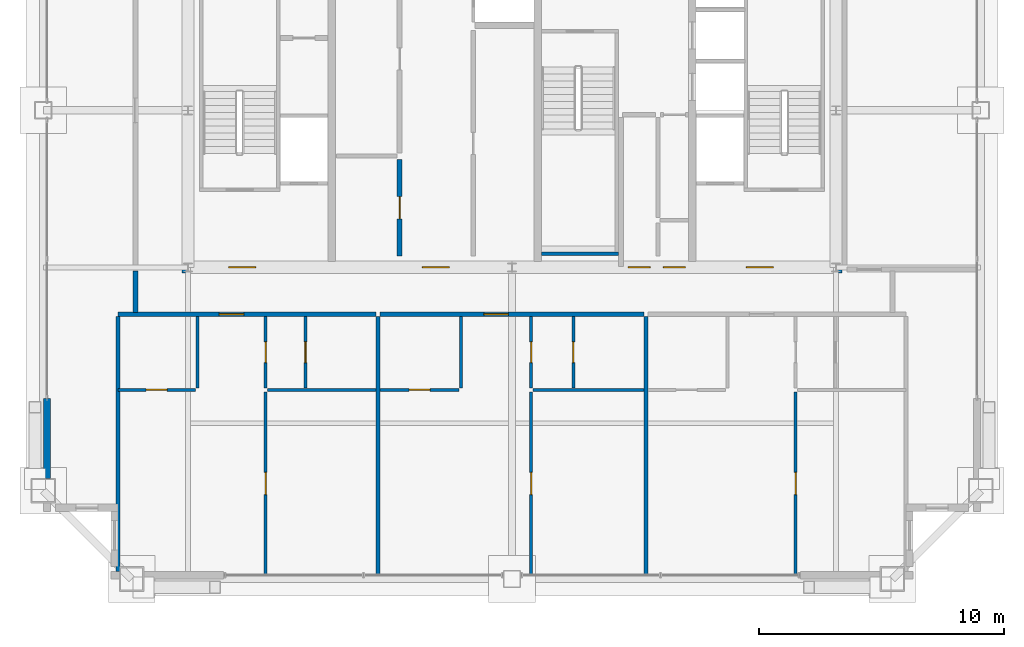
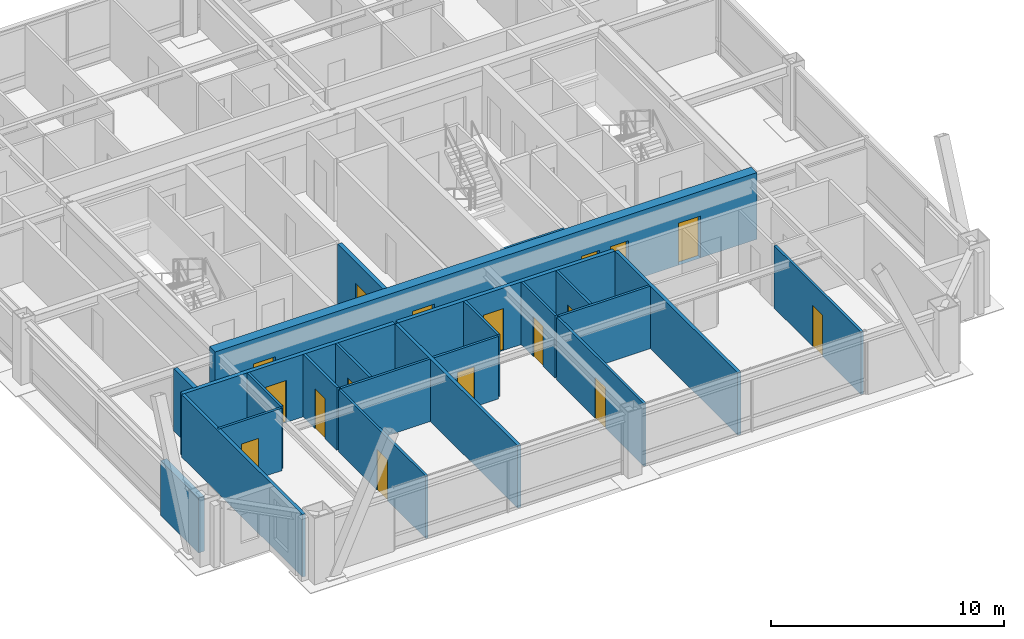
# One storey, part 30 of 35: 23 walls, 17 doors, 17 openings.
"""IFC4 building model written with IfcOpenShell, lengths in metres."""

from ifc_helpers import new_model, si_unit, direction, frame, frame_2d, origin, place, context, subcontext, project, spatial, rectangle, extrude, source, transform, mapped, material, layer, layer_set, type_object, element, fill, save


model = new_model("IFC4")

# Units and contexts
model_context = context("Model", 3, precision=1e-05, world=origin(), true_north=direction((0.0, 1.0)))
body_context = subcontext(model_context, "Body", "Model", "MODEL_VIEW")
ifc_project = project(units=[si_unit("LENGTHUNIT", "METRE"), si_unit("AREAUNIT", "SQUARE_METRE"), si_unit("VOLUMEUNIT", "CUBIC_METRE"), si_unit("PLANEANGLEUNIT", "RADIAN"), si_unit("MASSUNIT", "GRAM", prefix="KILO"), si_unit("THERMODYNAMICTEMPERATUREUNIT", "KELVIN"), si_unit("POWERUNIT", "WATT")], contexts=[model_context])

# Site, building, storey
site_placement = place(None, origin())
site = spatial("IfcSite", under=ifc_project, at=site_placement, CompositionType="ELEMENT")
building_placement = place(site_placement, origin())
building = spatial("IfcBuilding", under=site, at=building_placement, Name="Yuzanri Waterfront Tower", CompositionType="ELEMENT")
storey_placement = place(building_placement, frame((0.0, 0.0, 285.60009765625)))
storey = spatial("IfcBuildingStorey", under=building, at=storey_placement, Name="L76", CompositionType="ELEMENT", Elevation=285.60009765625)

# Wall, opening, door
ifc_material_1 = material(Name="Moisture-Resistant Gypsum Stud Wall", Category="gypsum")
ifc_layer_1 = layer(ifc_material_1, 0.1201171875)
ifc_layer_set_1 = layer_set([ifc_layer_1], Name="Moisture-Resistant Gypsum Stud Wall")
wall_type_1 = type_object("IfcWallType", Name="Bathroom and Kitchen Wet Partition 120", PredefinedType="PARTITIONING", material=ifc_layer_set_1)
wall_1_placement = place(storey_placement, frame((20.93994140625, 14.409912109375, 0.0), z_axis=(0.0, 0.0, 1.0), x_axis=(1.0, 0.0, 0.0)))
wall_1 = element("IfcWall", 1, at=wall_1_placement, inside=storey, type_object=wall_type_1, Name="L76 Partition UW-L76-HS1-SUB-1-S", PredefinedType="PARTITIONING", context=body_context, shape_type="SweptSolid", body=[
    extrude(rectangle(XDim=3.156005859375, YDim=0.1201171875, at=frame_2d((1.578125, 0.0))), origin(), (0.0, 0.0, 1.0), 3.27978515625),
])
opening_1_placement = place(wall_1_placement, frame((1.153076171875, 0.0, 0.0)))
opening_1 = element("IfcOpeningElement", 2, at=opening_1_placement, cuts=wall_1, Name="Opening ID-0850", PredefinedType="OPENING", context=body_context, shape_type="SweptSolid", body=[
    extrude(rectangle(XDim=0.85009765625, YDim=2.10009765625, at=frame_2d((0.425048828125, 1.050048828125))), frame((0.0, 0.074951171875, 0.0), z_axis=(0.0, -1.0, 0.0), x_axis=(1.0, 0.0, 0.0)), (0.0, 0.0, 1.0), 0.14990234375),
])
ifc_material_2 = material(Name="Moisture-Resistant Lacquered Timber", Category="wood")
door_type_1 = type_object("IfcDoorType", Name="En-Suite Bathroom and Kitchen Swing Door 850x2100", OperationType="NOTDEFINED", PredefinedType="DOOR", material=ifc_material_2)
shared_shape_1 = source(origin(), body_context, "Body", "SweptSolid", [
    extrude(rectangle(XDim=0.85009765625, YDim=2.10009765625, at=frame_2d((0.425048828125, 1.050048828125))), frame((0.0, 0.02490234375, 0.0), z_axis=(0.0, -1.0, 0.0), x_axis=(1.0, 0.0, 0.0)), (0.0, 0.0, 1.0), 0.050048828125),
])
door_1_placement = place(opening_1_placement, origin())
door_1 = element("IfcDoor", 3, at=door_1_placement, inside=storey, type_object=door_type_1, Name="L76 Suite Interior Room Door", OperationType="SINGLE_SWING_LEFT", OverallHeight=2.10009765625, OverallWidth=0.85009765625, PredefinedType="DOOR", context=body_context, shape_type="MappedRepresentation", body=[
    mapped(shared_shape_1, transform((0.0, 0.0, 0.0), scale=1.0)),
])
fill(opening_1, door_1)

wall_2_placement = place(storey_placement, frame((28.580078125, 14.489990234375, 0.0), z_axis=(0.0, 0.0, 1.0), x_axis=(0.0, 1.0, 0.0)))
wall_2 = element("IfcWall", 4, at=wall_2_placement, inside=storey, type_object=wall_type_1, Name="L76 Partition UW-L76-HS1-SUB-2-W", PredefinedType="PARTITIONING", context=body_context, shape_type="SweptSolid", body=[
    extrude(rectangle(XDim=2.89990234375, YDim=0.1201171875, at=frame_2d((1.449951171875, 0.0))), origin(), (0.0, 0.0, 1.0), 3.27978515625),
])
opening_2_placement = place(wall_2_placement, frame((1.02490234375, 0.0, 0.0)))
opening_2 = element("IfcOpeningElement", 5, at=opening_2_placement, cuts=wall_2, Name="Opening ID-0850", PredefinedType="OPENING", context=body_context, shape_type="SweptSolid", body=[
    extrude(rectangle(XDim=0.85009765625, YDim=2.10009765625, at=frame_2d((0.425048828125, 1.050048828125))), frame((0.0, 0.074951171875, 0.0), z_axis=(0.0, -1.0, 0.0), x_axis=(1.0, 0.0, 0.0)), (0.0, 0.0, 1.0), 0.14990234375),
])
door_2_placement = place(opening_2_placement, origin())
door_2 = element("IfcDoor", 6, at=door_2_placement, inside=storey, type_object=door_type_1, Name="L76 Suite Interior Room Door", OperationType="SINGLE_SWING_RIGHT", OverallHeight=2.10009765625, OverallWidth=0.85009765625, PredefinedType="DOOR", context=body_context, shape_type="MappedRepresentation", body=[
    mapped(shared_shape_1, transform((0.0, 0.0, 0.0), scale=1.0)),
])
fill(opening_2, door_2)

wall_3_placement = place(storey_placement, frame((26.9619140625, 6.85009765625, 0.0), z_axis=(0.0, 0.0, 1.0), x_axis=(0.0, 1.0, 0.0)))
wall_3 = element("IfcWall", 7, at=wall_3_placement, inside=storey, type_object=wall_type_1, Name="L76 Partition UW-L76-HS1-SUB-3-W", PredefinedType="PARTITIONING", context=body_context, shape_type="SweptSolid", body=[
    extrude(rectangle(XDim=7.47998046875, YDim=0.1201171875, at=frame_2d((3.739990234375, 0.0))), origin(), (0.0, 0.0, 1.0), 3.27978515625),
])
opening_3_placement = place(wall_3_placement, frame((3.2900390625, 0.0, 0.0)))
opening_3 = element("IfcOpeningElement", 8, at=opening_3_placement, cuts=wall_3, Name="Opening ID-0900", PredefinedType="OPENING", context=body_context, shape_type="SweptSolid", body=[
    extrude(rectangle(XDim=0.89990234375, YDim=2.14990234375, at=frame_2d((0.449951171875, 1.074951171875))), frame((0.0, 0.074951171875, 0.0), z_axis=(0.0, -1.0, 0.0), x_axis=(1.0, 0.0, 0.0)), (0.0, 0.0, 1.0), 0.14990234375),
])
ifc_material_3 = material(Name="Stained Walnut Veneer Timber", Category="wood")
door_type_2 = type_object("IfcDoorType", Name="Bedroom and Study Interior Swing Door 900x2150", OperationType="NOTDEFINED", PredefinedType="DOOR", material=ifc_material_3)
shared_shape_2 = source(origin(), body_context, "Body", "SweptSolid", [
    extrude(rectangle(XDim=0.89990234375, YDim=2.14990234375, at=frame_2d((0.449951171875, 1.074951171875))), frame((0.0, 0.02490234375, 0.0), z_axis=(0.0, -1.0, 0.0), x_axis=(1.0, 0.0, 0.0)), (0.0, 0.0, 1.0), 0.050048828125),
])
door_3_placement = place(opening_3_placement, origin())
door_3 = element("IfcDoor", 9, at=door_3_placement, inside=storey, type_object=door_type_2, Name="L76 Suite Interior Room Door", OperationType="SINGLE_SWING_LEFT", OverallHeight=2.14990234375, OverallWidth=0.89990234375, PredefinedType="DOOR", context=body_context, shape_type="MappedRepresentation", body=[
    mapped(shared_shape_2, transform((0.0, 0.0, 0.0), scale=1.0)),
])
fill(opening_3, door_3)

wall_4_placement = place(storey_placement, frame((26.9619140625, 14.489990234375, 0.0), z_axis=(0.0, 0.0, 1.0), x_axis=(0.0, 1.0, 0.0)))
wall_4 = element("IfcWall", 10, at=wall_4_placement, inside=storey, type_object=wall_type_1, Name="L76 Partition UW-L76-HS1-SUB-4-W", PredefinedType="PARTITIONING", context=body_context, shape_type="SweptSolid", body=[
    extrude(rectangle(XDim=2.89990234375, YDim=0.1201171875, at=frame_2d((1.449951171875, 0.0))), origin(), (0.0, 0.0, 1.0), 3.27978515625),
])
opening_4_placement = place(wall_4_placement, frame((1.02490234375, 0.0, 0.0)))
opening_4 = element("IfcOpeningElement", 11, at=opening_4_placement, cuts=wall_4, Name="Opening ID-0850", PredefinedType="OPENING", context=body_context, shape_type="SweptSolid", body=[
    extrude(rectangle(XDim=0.85009765625, YDim=2.10009765625, at=frame_2d((0.425048828125, 1.050048828125))), frame((0.0, 0.074951171875, 0.0), z_axis=(0.0, -1.0, 0.0), x_axis=(1.0, 0.0, 0.0)), (0.0, 0.0, 1.0), 0.14990234375),
])
door_4_placement = place(opening_4_placement, origin())
door_4 = element("IfcDoor", 12, at=door_4_placement, inside=storey, type_object=door_type_1, Name="L76 Suite Interior Room Door", OperationType="SINGLE_SWING_RIGHT", OverallHeight=2.10009765625, OverallWidth=0.85009765625, PredefinedType="DOOR", context=body_context, shape_type="MappedRepresentation", body=[
    mapped(shared_shape_1, transform((0.0, 0.0, 0.0), scale=1.0)),
])
fill(opening_4, door_4)

wall_5_placement = place(storey_placement, frame((31.6201171875, 14.409912109375, 0.0), z_axis=(0.0, 0.0, 1.0), x_axis=(1.0, 0.0, 0.0)))
wall_5 = element("IfcWall", 13, at=wall_5_placement, inside=storey, type_object=wall_type_1, Name="L76 Partition UW-L76-HS2-SUB-1-S", PredefinedType="PARTITIONING", context=body_context, shape_type="SweptSolid", body=[
    extrude(rectangle(XDim=3.227783203125, YDim=0.1201171875, at=frame_2d((1.61376953125, 0.0))), origin(), (0.0, 0.0, 1.0), 3.27978515625),
])
opening_5_placement = place(wall_5_placement, frame((1.18896484375, 0.0, 0.0)))
opening_5 = element("IfcOpeningElement", 14, at=opening_5_placement, cuts=wall_5, Name="Opening ID-0850", PredefinedType="OPENING", context=body_context, shape_type="SweptSolid", body=[
    extrude(rectangle(XDim=0.85009765625, YDim=2.10009765625, at=frame_2d((0.425048828125, 1.050048828125))), frame((0.0, 0.074951171875, 0.0), z_axis=(0.0, -1.0, 0.0), x_axis=(1.0, 0.0, 0.0)), (0.0, 0.0, 1.0), 0.14990234375),
])
door_5_placement = place(opening_5_placement, origin())
door_5 = element("IfcDoor", 15, at=door_5_placement, inside=storey, type_object=door_type_1, Name="L76 Suite Interior Room Door", OperationType="SINGLE_SWING_RIGHT", OverallHeight=2.10009765625, OverallWidth=0.85009765625, PredefinedType="DOOR", context=body_context, shape_type="MappedRepresentation", body=[
    mapped(shared_shape_1, transform((0.0, 0.0, 0.0), scale=1.0)),
])
fill(opening_5, door_5)

wall_6_placement = place(storey_placement, frame((39.5, 14.489990234375, 0.0), z_axis=(0.0, 0.0, 1.0), x_axis=(0.0, 1.0, 0.0)))
wall_6 = element("IfcWall", 16, at=wall_6_placement, inside=storey, type_object=wall_type_1, Name="L76 Partition UW-L76-HS2-SUB-2-W", PredefinedType="PARTITIONING", context=body_context, shape_type="SweptSolid", body=[
    extrude(rectangle(XDim=2.89990234375, YDim=0.1201171875, at=frame_2d((1.449951171875, 0.0))), origin(), (0.0, 0.0, 1.0), 3.27978515625),
])
opening_6_placement = place(wall_6_placement, frame((1.02490234375, 0.0, 0.0)))
opening_6 = element("IfcOpeningElement", 17, at=opening_6_placement, cuts=wall_6, Name="Opening ID-0850", PredefinedType="OPENING", context=body_context, shape_type="SweptSolid", body=[
    extrude(rectangle(XDim=0.85009765625, YDim=2.10009765625, at=frame_2d((0.425048828125, 1.050048828125))), frame((0.0, 0.074951171875, 0.0), z_axis=(0.0, -1.0, 0.0), x_axis=(1.0, 0.0, 0.0)), (0.0, 0.0, 1.0), 0.14990234375),
])
door_6_placement = place(opening_6_placement, origin())
door_6 = element("IfcDoor", 18, at=door_6_placement, inside=storey, type_object=door_type_1, Name="L76 Suite Interior Room Door", OperationType="SINGLE_SWING_LEFT", OverallHeight=2.10009765625, OverallWidth=0.85009765625, PredefinedType="DOOR", context=body_context, shape_type="MappedRepresentation", body=[
    mapped(shared_shape_1, transform((0.0, 0.0, 0.0), scale=1.0)),
])
fill(opening_6, door_6)

wall_7_placement = place(storey_placement, frame((37.781005859375, 6.85009765625, 0.0), z_axis=(0.0, 0.0, 1.0), x_axis=(0.0, 1.0, 0.0)))
wall_7 = element("IfcWall", 19, at=wall_7_placement, inside=storey, type_object=wall_type_1, Name="L76 Partition UW-L76-HS2-SUB-3-W", PredefinedType="PARTITIONING", context=body_context, shape_type="SweptSolid", body=[
    extrude(rectangle(XDim=7.47998046875, YDim=0.1201171875, at=frame_2d((3.739990234375, 0.0))), origin(), (0.0, 0.0, 1.0), 3.27978515625),
])
opening_7_placement = place(wall_7_placement, frame((3.2900390625, 0.0, 0.0)))
opening_7 = element("IfcOpeningElement", 20, at=opening_7_placement, cuts=wall_7, Name="Opening ID-0900", PredefinedType="OPENING", context=body_context, shape_type="SweptSolid", body=[
    extrude(rectangle(XDim=0.89990234375, YDim=2.14990234375, at=frame_2d((0.449951171875, 1.074951171875))), frame((0.0, 0.074951171875, 0.0), z_axis=(0.0, -1.0, 0.0), x_axis=(1.0, 0.0, 0.0)), (0.0, 0.0, 1.0), 0.14990234375),
])
door_7_placement = place(opening_7_placement, origin())
door_7 = element("IfcDoor", 21, at=door_7_placement, inside=storey, type_object=door_type_2, Name="L76 Suite Interior Room Door", OperationType="SINGLE_SWING_RIGHT", OverallHeight=2.14990234375, OverallWidth=0.89990234375, PredefinedType="DOOR", context=body_context, shape_type="MappedRepresentation", body=[
    mapped(shared_shape_2, transform((0.0, 0.0, 0.0), scale=1.0)),
])
fill(opening_7, door_7)

wall_8_placement = place(storey_placement, frame((37.781005859375, 14.489990234375, 0.0), z_axis=(0.0, 0.0, 1.0), x_axis=(0.0, 1.0, 0.0)))
wall_8 = element("IfcWall", 22, at=wall_8_placement, inside=storey, type_object=wall_type_1, Name="L76 Partition UW-L76-HS2-SUB-4-W", PredefinedType="PARTITIONING", context=body_context, shape_type="SweptSolid", body=[
    extrude(rectangle(XDim=2.89990234375, YDim=0.1201171875, at=frame_2d((1.449951171875, 0.0))), origin(), (0.0, 0.0, 1.0), 3.27978515625),
])
opening_8_placement = place(wall_8_placement, frame((1.02490234375, 0.0, 0.0)))
opening_8 = element("IfcOpeningElement", 23, at=opening_8_placement, cuts=wall_8, Name="Opening ID-0850", PredefinedType="OPENING", context=body_context, shape_type="SweptSolid", body=[
    extrude(rectangle(XDim=0.85009765625, YDim=2.10009765625, at=frame_2d((0.425048828125, 1.050048828125))), frame((0.0, 0.074951171875, 0.0), z_axis=(0.0, -1.0, 0.0), x_axis=(1.0, 0.0, 0.0)), (0.0, 0.0, 1.0), 0.14990234375),
])
door_8_placement = place(opening_8_placement, origin())
door_8 = element("IfcDoor", 24, at=door_8_placement, inside=storey, type_object=door_type_1, Name="L76 Suite Interior Room Door", OperationType="SINGLE_SWING_LEFT", OverallHeight=2.10009765625, OverallWidth=0.85009765625, PredefinedType="DOOR", context=body_context, shape_type="MappedRepresentation", body=[
    mapped(shared_shape_1, transform((0.0, 0.0, 0.0), scale=1.0)),
])
fill(opening_8, door_8)

wall_9_placement = place(storey_placement, frame((48.56201171875, 6.85009765625, 0.0), z_axis=(0.0, 0.0, 1.0), x_axis=(0.0, 1.0, 0.0)))
wall_9 = element("IfcWall", 25, at=wall_9_placement, inside=storey, type_object=wall_type_1, Name="L76 Partition UW-L76-HS3-SUB-3-W", PredefinedType="PARTITIONING", context=body_context, shape_type="SweptSolid", body=[
    extrude(rectangle(XDim=7.47998046875, YDim=0.1201171875, at=frame_2d((3.739990234375, 0.0))), origin(), (0.0, 0.0, 1.0), 3.27978515625),
])
opening_9_placement = place(wall_9_placement, frame((3.2900390625, 0.0, 0.0)))
opening_9 = element("IfcOpeningElement", 26, at=opening_9_placement, cuts=wall_9, Name="Opening ID-0900", PredefinedType="OPENING", context=body_context, shape_type="SweptSolid", body=[
    extrude(rectangle(XDim=0.89990234375, YDim=2.14990234375, at=frame_2d((0.449951171875, 1.074951171875))), frame((0.0, 0.074951171875, 0.0), z_axis=(0.0, -1.0, 0.0), x_axis=(1.0, 0.0, 0.0)), (0.0, 0.0, 1.0), 0.14990234375),
])
door_9_placement = place(opening_9_placement, origin())
door_9 = element("IfcDoor", 27, at=door_9_placement, inside=storey, type_object=door_type_2, Name="L76 Suite Interior Room Door", OperationType="SINGLE_SWING_LEFT", OverallHeight=2.14990234375, OverallWidth=0.89990234375, PredefinedType="DOOR", context=body_context, shape_type="MappedRepresentation", body=[
    mapped(shared_shape_2, transform((0.0, 0.0, 0.0), scale=1.0)),
])
fill(opening_9, door_9)

# Wall, openings, doors
ifc_material_4 = material(Name="Concrete C45", Category="concrete")
ifc_layer_2 = layer(ifc_material_4, 0.47998046875)
ifc_layer_set_2 = layer_set([ifc_layer_2], Name="Concrete C45")
wall_type_2 = type_object("IfcWallType", Name="Concrete C45 High-Rise Core Shear Wall 480", PredefinedType="SHEAR", material=ifc_layer_set_2)
wall_10_placement = place(storey_placement, frame((23.56005859375, 19.39990234375, 0.0), z_axis=(0.0, 0.0, 1.0), x_axis=(1.0, 0.0, 0.0)))
wall_10 = element("IfcWall", 28, at=wall_10_placement, inside=storey, type_object=wall_type_2, Name="L76 Core South Shear Wall", PredefinedType="SHEAR", context=body_context, shape_type="SweptSolid", body=[
    extrude(rectangle(XDim=26.8798828125, YDim=0.47998046875, at=frame_2d((13.43994140625, 0.0))), origin(), (0.0, 0.0, 1.0), 3.5),
])
opening_10_placement = place(wall_10_placement, frame((1.889892578125, 0.0, 0.0)))
opening_10 = element("IfcOpeningElement", 29, at=opening_10_placement, cuts=wall_10, Name="Opening FD-1100", PredefinedType="OPENING", context=body_context, shape_type="SweptSolid", body=[
    extrude(rectangle(XDim=1.10009765625, YDim=2.199951171875, at=frame_2d((0.550048828125, 1.10009765625))), frame((0.0, 0.2548828125, 0.0), z_axis=(0.0, -1.0, 0.0), x_axis=(1.0, 0.0, 0.0)), (0.0, 0.0, 1.0), 0.509765625),
])
opening_11_placement = place(wall_10_placement, frame((9.7900390625, 0.0, 0.0)))
opening_11 = element("IfcOpeningElement", 30, at=opening_11_placement, cuts=wall_10, Name="Opening FD-1100", PredefinedType="OPENING", context=body_context, shape_type="SweptSolid", body=[
    extrude(rectangle(XDim=1.10009765625, YDim=2.199951171875, at=frame_2d((0.550048828125, 1.10009765625))), frame((0.0, 0.2548828125, 0.0), z_axis=(0.0, -1.0, 0.0), x_axis=(1.0, 0.0, 0.0)), (0.0, 0.0, 1.0), 0.509765625),
])
opening_12_placement = place(wall_10_placement, frame((22.989990234375, 0.0, 0.0)))
opening_12 = element("IfcOpeningElement", 31, at=opening_12_placement, cuts=wall_10, Name="Opening FD-1100", PredefinedType="OPENING", context=body_context, shape_type="SweptSolid", body=[
    extrude(rectangle(XDim=1.10009765625, YDim=2.199951171875, at=frame_2d((0.550048828125, 1.10009765625))), frame((0.0, 0.2548828125, 0.0), z_axis=(0.0, -1.0, 0.0), x_axis=(1.0, 0.0, 0.0)), (0.0, 0.0, 1.0), 0.509765625),
])
opening_13_placement = place(wall_10_placement, frame((19.610107421875, 0.0, 0.0)))
opening_13 = element("IfcOpeningElement", 32, at=opening_13_placement, cuts=wall_10, Name="Opening FD-0900", PredefinedType="OPENING", context=body_context, shape_type="SweptSolid", body=[
    extrude(rectangle(XDim=0.89990234375, YDim=2.14990234375, at=frame_2d((0.449951171875, 1.074951171875))), frame((0.0, 0.2548828125, 0.0), z_axis=(0.0, -1.0, 0.0), x_axis=(1.0, 0.0, 0.0)), (0.0, 0.0, 1.0), 0.509765625),
])
opening_14_placement = place(wall_10_placement, frame((18.169921875, 0.0, 0.0)))
opening_14 = element("IfcOpeningElement", 33, at=opening_14_placement, cuts=wall_10, Name="Opening FD-0900", PredefinedType="OPENING", context=body_context, shape_type="SweptSolid", body=[
    extrude(rectangle(XDim=0.89990234375, YDim=2.14990234375, at=frame_2d((0.449951171875, 1.074951171875))), frame((0.0, 0.2548828125, 0.0), z_axis=(0.0, -1.0, 0.0), x_axis=(1.0, 0.0, 0.0)), (0.0, 0.0, 1.0), 0.509765625),
])
ifc_material_5 = material(Name="Painted Galvanized Fire Steel", Category="steel")
door_type_3 = type_object("IfcDoorType", Name="Smoke-Proof Stair and Lobby Fire Door 1100x2200", OperationType="NOTDEFINED", PredefinedType="DOOR", material=ifc_material_5)
shared_shape_3 = source(origin(), body_context, "Body", "SweptSolid", [
    extrude(rectangle(XDim=1.10009765625, YDim=2.199951171875, at=frame_2d((0.550048828125, 1.10009765625))), frame((0.0, 0.02490234375, 0.0), z_axis=(0.0, -1.0, 0.0), x_axis=(1.0, 0.0, 0.0)), (0.0, 0.0, 1.0), 0.050048828125),
])
door_10_placement = place(opening_10_placement, origin())
door_10 = element("IfcDoor", 34, at=door_10_placement, inside=storey, type_object=door_type_3, Name="L76 West Firefighting Lobby Door", OperationType="SINGLE_SWING_RIGHT", OverallHeight=2.199951171875, OverallWidth=1.10009765625, PredefinedType="DOOR", context=body_context, shape_type="MappedRepresentation", body=[
    mapped(shared_shape_3, transform((0.0, 0.0, 0.0), scale=1.0)),
])
fill(opening_10, door_10)
door_11_placement = place(opening_11_placement, origin())
door_11 = element("IfcDoor", 35, at=door_11_placement, inside=storey, type_object=door_type_3, Name="L76 Central Lift Lobby South Door", OperationType="SINGLE_SWING_LEFT", OverallHeight=2.199951171875, OverallWidth=1.10009765625, PredefinedType="DOOR", context=body_context, shape_type="MappedRepresentation", body=[
    mapped(shared_shape_3, transform((0.0, 0.0, 0.0), scale=1.0)),
])
fill(opening_11, door_11)
door_12_placement = place(opening_12_placement, origin())
door_12 = element("IfcDoor", 36, at=door_12_placement, inside=storey, type_object=door_type_3, Name="L76 East Firefighting Lobby Door", OperationType="SINGLE_SWING_RIGHT", OverallHeight=2.199951171875, OverallWidth=1.10009765625, PredefinedType="DOOR", context=body_context, shape_type="MappedRepresentation", body=[
    mapped(shared_shape_3, transform((0.0, 0.0, 0.0), scale=1.0)),
])
fill(opening_12, door_12)
ifc_material_6 = material(Name="Painted Galvanized Fire Steel", Category="steel")
door_type_4 = type_object("IfcDoorType", Name="Riser and Service Room Fire Door 900x2150", OperationType="NOTDEFINED", PredefinedType="DOOR", material=ifc_material_6)
shared_shape_4 = source(origin(), body_context, "Body", "SweptSolid", [
    extrude(rectangle(XDim=0.89990234375, YDim=2.14990234375, at=frame_2d((0.449951171875, 1.074951171875))), frame((0.0, 0.02490234375, 0.0), z_axis=(0.0, -1.0, 0.0), x_axis=(1.0, 0.0, 0.0)), (0.0, 0.0, 1.0), 0.050048828125),
])
door_13_placement = place(opening_13_placement, origin())
door_13 = element("IfcDoor", 37, at=door_13_placement, inside=storey, type_object=door_type_4, Name="L76 East Wet Riser Door", OperationType="SINGLE_SWING_LEFT", OverallHeight=2.14990234375, OverallWidth=0.89990234375, PredefinedType="DOOR", context=body_context, shape_type="MappedRepresentation", body=[
    mapped(shared_shape_4, transform((0.0, 0.0, 0.0), scale=1.0)),
])
fill(opening_13, door_13)
door_14_placement = place(opening_14_placement, origin())
door_14 = element("IfcDoor", 38, at=door_14_placement, inside=storey, type_object=door_type_4, Name="L76 Cleaners Store Room", OperationType="SINGLE_SWING_RIGHT", OverallHeight=2.14990234375, OverallWidth=0.89990234375, PredefinedType="DOOR", context=body_context, shape_type="MappedRepresentation", body=[
    mapped(shared_shape_4, transform((0.0, 0.0, 0.0), scale=1.0)),
])
fill(opening_14, door_14)

# Wall, opening, door
ifc_material_7 = material(Name="Autoclaved Aerated Concrete Blockwork", Category="masonry")
ifc_layer_3 = layer(ifc_material_7, 0.199951171875)
ifc_layer_set_3 = layer_set([ifc_layer_3], Name="Autoclaved Aerated Concrete Blockwork")
wall_type_3 = type_object("IfcWallType", Name="Corridor and Unit Party Fire Wall 200", PredefinedType="PARTITIONING", material=ifc_layer_set_3)
wall_11_placement = place(storey_placement, frame((32.419921875, 19.860107421875, 0.0), z_axis=(0.0, 0.0, 1.0), x_axis=(0.0, 1.0, 0.0)))
wall_11 = element("IfcWall", 39, at=wall_11_placement, inside=storey, type_object=wall_type_3, Name="L76 Partition CRW-L76-B1R-1", PredefinedType="PARTITIONING", context=body_context, shape_type="SweptSolid", body=[
    extrude(rectangle(XDim=3.93994140625, YDim=0.199951171875, at=frame_2d((1.969970703125, 0.0))), origin(), (0.0, 0.0, 1.0), 3.27978515625),
])
opening_15_placement = place(wall_11_placement, frame((1.52001953125, 0.0, 0.0)))
opening_15 = element("IfcOpeningElement", 40, at=opening_15_placement, cuts=wall_11, Name="Opening FD-0900", PredefinedType="OPENING", context=body_context, shape_type="SweptSolid", body=[
    extrude(rectangle(XDim=0.89990234375, YDim=2.14990234375, at=frame_2d((0.449951171875, 1.074951171875))), frame((0.0, 0.11474609375, 0.0), z_axis=(0.0, -1.0, 0.0), x_axis=(1.0, 0.0, 0.0)), (0.0, 0.0, 1.0), 0.229736328125),
])
door_15_placement = place(opening_15_placement, origin())
door_15 = element("IfcDoor", 41, at=door_15_placement, inside=storey, type_object=door_type_4, Name="L76 Janitor Supply Store Room", OperationType="SINGLE_SWING_RIGHT", OverallHeight=2.14990234375, OverallWidth=0.89990234375, PredefinedType="DOOR", context=body_context, shape_type="MappedRepresentation", body=[
    mapped(shared_shape_4, transform((0.0, 0.0, 0.0), scale=1.0)),
])
fill(opening_15, door_15)

wall_12_placement = place(storey_placement, frame((20.93994140625, 17.489990234375, 0.0), z_axis=(0.0, 0.0, 1.0), x_axis=(1.0, 0.0, 0.0)))
wall_12 = element("IfcWall", 42, at=wall_12_placement, inside=storey, type_object=wall_type_3, Name="L76 Partition UW-L76-HS1-CN", PredefinedType="PARTITIONING", context=body_context, shape_type="SweptSolid", body=[
    extrude(rectangle(XDim=10.52001953125, YDim=0.199951171875, at=frame_2d((5.260009765625, 0.0))), origin(), (0.0, 0.0, 1.0), 3.27978515625),
])
opening_16_placement = place(wall_12_placement, frame((4.12890625, 0.0, 0.0)))
opening_16 = element("IfcOpeningElement", 43, at=opening_16_placement, cuts=wall_12, Name="Opening FD-1000", PredefinedType="OPENING", context=body_context, shape_type="SweptSolid", body=[
    extrude(rectangle(XDim=1.0, YDim=2.199951171875, at=frame_2d((0.5, 1.10009765625))), frame((0.0, 0.11474609375, 0.0), z_axis=(0.0, -1.0, 0.0), x_axis=(1.0, 0.0, 0.0)), (0.0, 0.0, 1.0), 0.229736328125),
])
ifc_material_8 = material(Name="Engineered Oak Fire-Rated Timber", Category="wood")
door_type_5 = type_object("IfcDoorType", Name="Guestroom and Apartment Entrance Fire Door 1000x2200", OperationType="NOTDEFINED", PredefinedType="DOOR", material=ifc_material_8)
shared_shape_5 = source(origin(), body_context, "Body", "SweptSolid", [
    extrude(rectangle(XDim=1.0, YDim=2.199951171875, at=frame_2d((0.5, 1.10009765625))), frame((0.0, 0.02490234375, 0.0), z_axis=(0.0, -1.0, 0.0), x_axis=(1.0, 0.0, 0.0)), (0.0, 0.0, 1.0), 0.050048828125),
])
door_16_placement = place(opening_16_placement, origin())
door_16 = element("IfcDoor", 44, at=door_16_placement, inside=storey, type_object=door_type_5, Name="L76 Apartment Living Room Entrance Door", OperationType="SINGLE_SWING_RIGHT", OverallHeight=2.199951171875, OverallWidth=1.0, PredefinedType="DOOR", context=body_context, shape_type="MappedRepresentation", body=[
    mapped(shared_shape_5, transform((0.0, 0.0, 0.0), scale=1.0)),
])
fill(opening_16, door_16)

wall_13_placement = place(storey_placement, frame((31.6201171875, 17.489990234375, 0.0), z_axis=(0.0, 0.0, 1.0), x_axis=(1.0, 0.0, 0.0)))
wall_13 = element("IfcWall", 45, at=wall_13_placement, inside=storey, type_object=wall_type_3, Name="L76 Partition UW-L76-HS2-CN", PredefinedType="PARTITIONING", context=body_context, shape_type="SweptSolid", body=[
    extrude(rectangle(XDim=10.759765625, YDim=0.199951171875, at=frame_2d((5.3798828125, 0.0))), origin(), (0.0, 0.0, 1.0), 3.27978515625),
])
opening_17_placement = place(wall_13_placement, frame((4.235107421875, 0.0, 0.0)))
opening_17 = element("IfcOpeningElement", 46, at=opening_17_placement, cuts=wall_13, Name="Opening FD-1000", PredefinedType="OPENING", context=body_context, shape_type="SweptSolid", body=[
    extrude(rectangle(XDim=1.0, YDim=2.199951171875, at=frame_2d((0.5, 1.10009765625))), frame((0.0, 0.11474609375, 0.0), z_axis=(0.0, -1.0, 0.0), x_axis=(1.0, 0.0, 0.0)), (0.0, 0.0, 1.0), 0.229736328125),
])
door_17_placement = place(opening_17_placement, origin())
door_17 = element("IfcDoor", 47, at=door_17_placement, inside=storey, type_object=door_type_5, Name="L76 Apartment Living Room Entrance Door", OperationType="SINGLE_SWING_LEFT", OverallHeight=2.199951171875, OverallWidth=1.0, PredefinedType="DOOR", context=body_context, shape_type="MappedRepresentation", body=[
    mapped(shared_shape_5, transform((0.0, 0.0, 0.0), scale=1.0)),
])
fill(opening_17, door_17)

# Walls
ifc_material_9 = material(Name="Honed Chongqing Dark Basalt Stone", Category="masonry")
ifc_layer_4 = layer(ifc_material_9, 0.300048828125)
ifc_layer_set_4 = layer_set([ifc_layer_4], Name="Honed Chongqing Dark Basalt Stone")
wall_type_4 = type_object("IfcWallType", Name="Bronze Rainscreen Insulated Spandrel Portal Wall 300", PredefinedType="SOLIDWALL", material=ifc_layer_set_4)
shared_shape_6 = source(origin(), body_context, "Body", "SweptSolid", [
    extrude(rectangle(XDim=3.25, YDim=0.300048828125, at=frame_2d((1.625, 0.0))), origin(), (0.0, 0.0, 1.0), 2.885009765625),
])
wall_14_placement = place(storey_placement, frame((18.050048828125, 10.800048828125, 0.0), z_axis=(0.0, 0.0, 1.0), x_axis=(0.0, 1.0, 0.0)))
element("IfcWall", 48, at=wall_14_placement, inside=storey, type_object=wall_type_4, Name="L76 W Left Braced Masonry Shoulder", PredefinedType="SOLIDWALL", context=body_context, shape_type="MappedRepresentation", body=[
    mapped(shared_shape_6, transform((0.0, 0.0, 0.0), scale=1.0)),
])
ifc_material_10 = material(Name="Concrete C40", Category="concrete")
ifc_layer_5 = layer(ifc_material_10, 0.139892578125)
ifc_layer_set_5 = layer_set([ifc_layer_5], Name="Concrete C40")
wall_type_5 = type_object("IfcWallType", Name="Core Stair Liner and Hoistway Shaft Wall 140", PredefinedType="SOLIDWALL", material=ifc_layer_set_5)
shared_shape_7 = source(origin(), body_context, "Body", "SweptSolid", [
    extrude(rectangle(XDim=3.14013671875, YDim=0.139892578125, at=frame_2d((1.570068359375, 0.0))), origin(), (0.0, 0.0, 1.0), 3.27978515625),
])
wall_15_placement = place(storey_placement, frame((38.199951171875, 19.949951171875, 0.0), z_axis=(0.0, 0.0, 1.0), x_axis=(1.0, 0.0, 0.0)))
element("IfcWall", 49, at=wall_15_placement, inside=storey, type_object=wall_type_5, Name="L76 Stair ST-03 South Shaft Wall", PredefinedType="SOLIDWALL", context=body_context, shape_type="MappedRepresentation", body=[
    mapped(shared_shape_7, transform((0.0, 0.0, 0.0), scale=1.0)),
])
shared_shape_8 = source(origin(), body_context, "Body", "SweptSolid", [
    extrude(rectangle(XDim=1.699951171875, YDim=0.199951171875, at=frame_2d((0.85009765625, 0.0))), origin(), (0.0, 0.0, 1.0), 3.27978515625),
])
wall_16_placement = place(storey_placement, frame((21.64990234375, 17.550048828125, 0.0), z_axis=(0.0, 0.0, 1.0), x_axis=(0.0, 1.0, 0.0)))
element("IfcWall", 50, at=wall_16_placement, inside=storey, type_object=wall_type_3, Name="L76 South Foyer West End Wall", PredefinedType="PARTITIONING", context=body_context, shape_type="MappedRepresentation", body=[
    mapped(shared_shape_8, transform((0.0, 0.0, 0.0), scale=1.0)),
])
ifc_material_11 = material(Name="Gypsum Fireboard Acoustic Stud Wall", Category="gypsum")
ifc_layer_6 = layer(ifc_material_11, 0.159912109375)
ifc_layer_set_6 = layer_set([ifc_layer_6], Name="Gypsum Fireboard Acoustic Stud Wall")
wall_type_6 = type_object("IfcWallType", Name="Acoustic Suite Demising Partition 160", PredefinedType="PARTITIONING", material=ifc_layer_set_6)
shared_shape_9 = source(origin(), body_context, "Body", "SweptSolid", [
    extrude(rectangle(XDim=10.539794921875, YDim=0.159912109375, at=frame_2d((5.27001953125, 0.0))), origin(), (0.0, 0.0, 1.0), 3.27978515625),
])
for number, where, z_axis, x_axis, name in (
    (51, (31.5400390625, 6.85009765625, 0.0), (0.0, 0.0, 1.0), (0.0, 1.0, 0.0), "L76-HS1 Party Wall"),
    (52, (42.4599609375, 6.85009765625, 0.0), (0.0, 0.0, 1.0), (0.0, 1.0, 0.0), "L76-HS2 Party Wall"),
):
    element("IfcWall", number, at=place(storey_placement, frame(where, z_axis=z_axis, x_axis=x_axis)), inside=storey, type_object=wall_type_6, Name=name, PredefinedType="PARTITIONING", context=body_context, shape_type="MappedRepresentation", body=[
        mapped(shared_shape_9, transform((0.0, 0.0, 0.0), scale=1.0)),
    ])
shared_shape_10 = source(origin(), body_context, "Body", "SweptSolid", [
    extrude(rectangle(XDim=2.89990234375, YDim=0.1201171875, at=frame_2d((1.449951171875, 0.0))), origin(), (0.0, 0.0, 1.0), 3.27978515625),
])
for number, where, z_axis, x_axis, name in (
    (53, (24.176025390625, 14.489990234375, 0.0), (0.0, 0.0, 1.0), (0.0, 1.0, 0.0), "L76 Partition UW-L76-HS1-SUB-1-E"),
    (54, (34.927978515625, 14.489990234375, 0.0), (0.0, 0.0, 1.0), (0.0, 1.0, 0.0), "L76 Partition UW-L76-HS2-SUB-1-E"),
):
    element("IfcWall", number, at=place(storey_placement, frame(where, z_axis=z_axis, x_axis=x_axis)), inside=storey, type_object=wall_type_1, Name=name, PredefinedType="PARTITIONING", context=body_context, shape_type="MappedRepresentation", body=[
        mapped(shared_shape_10, transform((0.0, 0.0, 0.0), scale=1.0)),
    ])
shared_shape_11 = source(origin(), body_context, "Body", "SweptSolid", [
    extrude(rectangle(XDim=4.41796875, YDim=0.1201171875, at=frame_2d((2.208984375, 0.0))), origin(), (0.0, 0.0, 1.0), 3.27978515625),
])
wall_17_placement = place(storey_placement, frame((27.0419921875, 14.409912109375, 0.0), z_axis=(0.0, 0.0, 1.0), x_axis=(1.0, 0.0, 0.0)))
element("IfcWall", 55, at=wall_17_placement, inside=storey, type_object=wall_type_1, Name="L76 Partition UW-L76-HS1-SUB-3-N", PredefinedType="PARTITIONING", context=body_context, shape_type="MappedRepresentation", body=[
    mapped(shared_shape_11, transform((0.0, 0.0, 0.0), scale=1.0)),
])
shared_shape_12 = source(origin(), body_context, "Body", "SweptSolid", [
    extrude(rectangle(XDim=4.518798828125, YDim=0.1201171875, at=frame_2d((2.25927734375, 0.0))), origin(), (0.0, 0.0, 1.0), 3.27978515625),
])
wall_18_placement = place(storey_placement, frame((37.861083984375, 14.409912109375, 0.0), z_axis=(0.0, 0.0, 1.0), x_axis=(1.0, 0.0, 0.0)))
element("IfcWall", 56, at=wall_18_placement, inside=storey, type_object=wall_type_1, Name="L76 Partition UW-L76-HS2-SUB-3-N", PredefinedType="PARTITIONING", context=body_context, shape_type="MappedRepresentation", body=[
    mapped(shared_shape_12, transform((0.0, 0.0, 0.0), scale=1.0)),
])
shared_shape_13 = source(origin(), body_context, "Body", "SweptSolid", [
    extrude(rectangle(XDim=10.389892578125, YDim=0.159912109375, at=frame_2d((5.19482421875, 0.0))), origin(), (0.0, 0.0, 1.0), 3.27978515625),
])
wall_19_placement = place(storey_placement, frame((20.949951171875, 7.0, 0.0), z_axis=(0.0, 0.0, 1.0), x_axis=(0.0, 1.0, 0.0)))
element("IfcWall", 57, at=wall_19_placement, inside=storey, type_object=wall_type_6, Name="L76 South Band West End Wall", PredefinedType="PARTITIONING", context=body_context, shape_type="MappedRepresentation", body=[
    mapped(shared_shape_13, transform((0.0, 0.0, 0.0), scale=1.0)),
])

save(model, "model.ifc")
